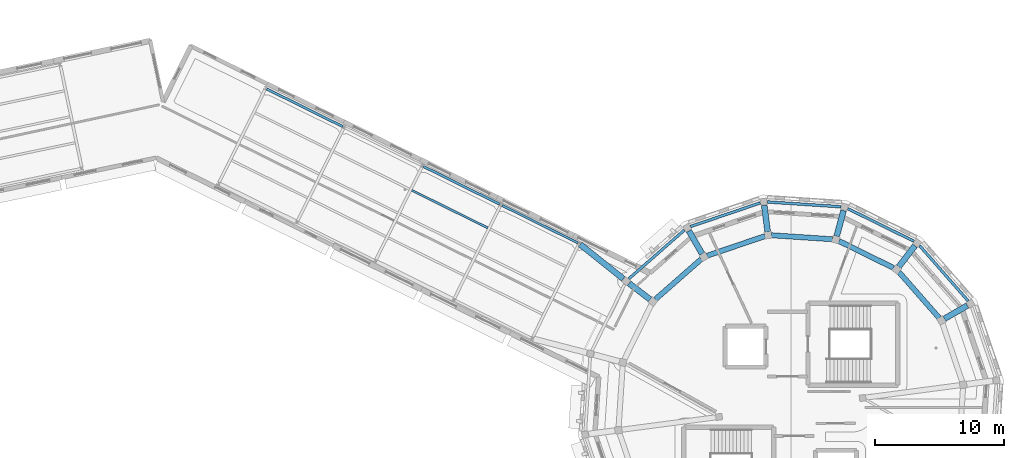
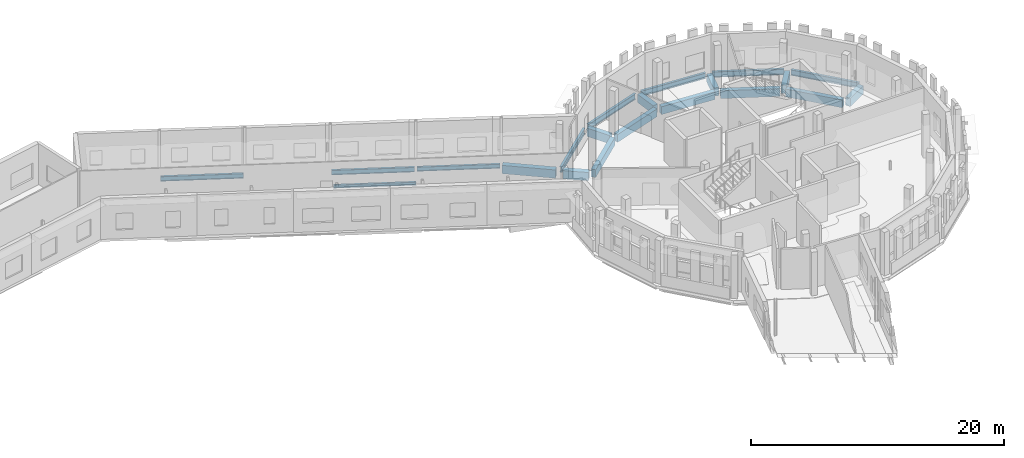
# One storey, part 30 of 90: 21 beams.
"""IFC4 building model written with IfcOpenShell, lengths in metres."""

from ifc_helpers import new_model, si_unit, direction, frame, origin, origin_2d, place, context, subcontext, project, spatial, rectangle, i_section, extrude, material, material_profile, profile_set, type_object, element, save


model = new_model("IFC4")

# Units and contexts
model_context = context("Model", 3, precision=1e-05, world=origin(), true_north=direction((0.0, 1.0)))
body_context = subcontext(model_context, "Body", "Model", "MODEL_VIEW")
ifc_project = project(units=[si_unit("LENGTHUNIT", "METRE"), si_unit("AREAUNIT", "SQUARE_METRE"), si_unit("VOLUMEUNIT", "CUBIC_METRE"), si_unit("PLANEANGLEUNIT", "RADIAN"), si_unit("MASSUNIT", "GRAM", prefix="KILO")], contexts=[model_context])

# Site, building, storey
site_placement = place(None, origin())
site = spatial("IfcSite", under=ifc_project, at=site_placement, CompositionType="ELEMENT")
building_placement = place(site_placement, origin())
building = spatial("IfcBuilding", under=site, at=building_placement, Name="Wrenclough Park School", CompositionType="ELEMENT")
storey_placement = place(building_placement, frame((0.0, 0.0, 8.39990234375)))
storey = spatial("IfcBuildingStorey", under=building, at=storey_placement, Name="L02", CompositionType="ELEMENT", Elevation=8.39990234375)

# Beams
ifc_material_1 = material(Name="Concrete C35/45", Category="concrete")
ifc_material_profile_1 = material_profile(ifc_material_1, rectangle(XDim=0.39990234375, YDim=0.75, at=origin_2d()), Name="RC BEAM 400x750")
ifc_profile_set_1 = profile_set([ifc_material_profile_1], Name="Concrete C35/45")
beam_type_1 = type_object("IfcBeamType", Name="STR-BM-RC400B", PredefinedType="BEAM", material=ifc_profile_set_1)
beam_1_placement = place(storey_placement, frame((185.973876953125, 100.423583984375, -0.639892578125), z_axis=(-0.659350116413, 0.751836035307, 0.0), x_axis=(-0.751836035307, -0.659350116413, 0.0)))
element("IfcBeam", 1, at=beam_1_placement, inside=storey, type_object=beam_type_1, Name="D5 L02 middle ring beam 2", PredefinedType="BEAM", context=body_context, shape_type="SweptSolid", body=[
    extrude(rectangle(XDim=0.39990234375, YDim=0.75, at=origin_2d()), origin(), (0.0, 0.0, 1.0), 4.719970703125),
])
beam_2_placement = place(storey_placement, frame((182.450927734375, 104.287353515625, -0.639892578125), z_axis=(-0.89685541027, 0.442323832808, 0.0), x_axis=(-0.442323832808, -0.89685541027, 0.0)))
element("IfcBeam", 2, at=beam_2_placement, inside=storey, type_object=beam_type_1, Name="D5 L02 middle ring beam 3", PredefinedType="BEAM", context=body_context, shape_type="SweptSolid", body=[
    extrude(rectangle(XDim=0.39990234375, YDim=0.75, at=origin_2d()), origin(), (0.0, 0.0, 1.0), 4.7197265625),
])
for number, where, z_axis, x_axis, name in (
    (3, (177.7177734375, 106.509033203125, -0.639892578125), (-0.9978604909, 0.065379206951, 0.0), (-0.065379206951, -0.9978604909, 0.0), "D5 L02 middle ring beam 4"),
    (4, (172.494384765625, 106.75, -0.639892578125), (-0.946936255661, -0.321421417637, 0.0), (0.321421417637, -0.946936255661, 0.0), "D5 L02 middle ring beam 5"),
    (5, (167.576416015625, 104.973876953125, -0.639892578125), (-0.751836035307, -0.659350116413, 0.0), (0.659350116413, -0.751836035307, 0.0), "D5 L02 middle ring beam 6"),
):
    element("IfcBeam", number, at=place(storey_placement, frame(where, z_axis=z_axis, x_axis=x_axis)), inside=storey, type_object=beam_type_1, Name=name, PredefinedType="BEAM", context=body_context, shape_type="SweptSolid", body=[
        extrude(rectangle(XDim=0.39990234375, YDim=0.75, at=origin_2d()), origin(), (0.0, 0.0, 1.0), 4.719970703125),
    ])
ifc_material_2 = material(Name="Concrete C40/50", Category="concrete")
ifc_material_profile_2 = material_profile(ifc_material_2, rectangle(XDim=0.449951171875, YDim=0.800048828125, at=origin_2d()), Name="RC BEAM 450x800")
ifc_profile_set_2 = profile_set([ifc_material_profile_2], Name="Concrete C40/50")
beam_type_2 = type_object("IfcBeamType", Name="STR-BM-RC450", PredefinedType="BEAM", material=ifc_profile_set_2)
beam_3_placement = place(storey_placement, frame((188.150390625, 101.381103515625, -0.664794921875), z_axis=(-0.865996998587, -0.500049196018, 0.0), x_axis=(0.500049196018, -0.865996998587, 0.0)))
element("IfcBeam", 6, at=beam_3_placement, inside=storey, type_object=beam_type_2, Name="D5 L02 radial girder 2", PredefinedType="BEAM", context=body_context, shape_type="SweptSolid", body=[
    extrude(rectangle(XDim=0.449951171875, YDim=0.800048828125, at=origin_2d()), origin(), (0.0, 0.0, 1.0), 2.048095703125),
])
beam_4_placement = place(storey_placement, frame((184.09521484375, 106.0048828125, -0.664794921875), z_axis=(-0.608736788616, -0.793372246922, 0.0), x_axis=(0.793372246922, -0.608736788616, 0.0)))
element("IfcBeam", 7, at=beam_4_placement, inside=storey, type_object=beam_type_2, Name="D5 L02 radial girder 3", PredefinedType="BEAM", context=body_context, shape_type="SweptSolid", body=[
    extrude(rectangle(XDim=0.449951171875, YDim=0.800048828125, at=origin_2d()), origin(), (0.0, 0.0, 1.0), 2.04833984375),
])
for number, where, z_axis, x_axis, name in (
    (8, (178.57958984375, 108.724853515625, -0.664794921875), (-0.25890887398, -0.965901752237, 0.0), (0.965901752237, -0.25890887398, 0.0), "D5 L02 radial girder 4"),
    (9, (172.442626953125, 109.127197265625, -0.664794921875), (0.130531603121, -0.991444149, 0.0), (0.991444149, 0.130531603121, 0.0), "D5 L02 radial girder 5"),
    (10, (166.618896484375, 107.150390625, -0.664794921875), (0.500049196018, -0.865996998587, 0.0), (0.865996998587, 0.500049196018, 0.0), "D5 L02 radial girder 6"),
):
    element("IfcBeam", number, at=place(storey_placement, frame(where, z_axis=z_axis, x_axis=x_axis)), inside=storey, type_object=beam_type_2, Name=name, PredefinedType="BEAM", context=body_context, shape_type="SweptSolid", body=[
        extrude(rectangle(XDim=0.449951171875, YDim=0.800048828125, at=origin_2d()), origin(), (0.0, 0.0, 1.0), 2.048095703125),
    ])
beam_5_placement = place(storey_placement, frame((161.9951171875, 103.09521484375, -0.664794921875), z_axis=(0.793372246922, -0.608736788616, 0.0), x_axis=(0.608736788616, 0.793372246922, 0.0)))
element("IfcBeam", 11, at=beam_5_placement, inside=storey, type_object=beam_type_2, Name="D5 L02 radial girder 7", PredefinedType="BEAM", context=body_context, shape_type="SweptSolid", body=[
    extrude(rectangle(XDim=0.449951171875, YDim=0.800048828125, at=origin_2d()), origin(), (0.0, 0.0, 1.0), 2.04833984375),
])
beam_6_placement = place(storey_placement, frame((158.20947265625, 106.11181640625, -0.664794921875), z_axis=(0.781348885451, -0.624094479389, 0.0), x_axis=(0.624094479389, 0.781348885451, 0.0)))
element("IfcBeam", 12, at=beam_6_placement, inside=storey, type_object=beam_type_2, Name="W45 L02 drum junction tie beam 50", PredefinedType="BEAM", context=body_context, shape_type="SweptSolid", body=[
    extrude(rectangle(XDim=0.449951171875, YDim=0.800048828125, at=origin_2d()), origin(), (0.0, 0.0, 1.0), 4.264892578125),
])
ifc_material_3 = material(Name="Structural steel S355", Category="steel")
ifc_material_profile_3 = material_profile(ifc_material_3, i_section(OverallWidth=0.1650390625, OverallDepth=0.303466796875, WebThickness=0.006103515625, FlangeThickness=0.01025390625, FilletRadius=0.0087890625, at=origin_2d()), Name="UKB 305x165x40")
ifc_profile_set_3 = profile_set([ifc_material_profile_3], Name="Structural steel S355")
beam_type_3 = type_object("IfcBeamType", Name="STR-BM-UKB305", PredefinedType="JOIST", material=ifc_profile_set_3)
beam_7_placement = place(storey_placement, frame((145.1904296875, 110.291015625, -0.401611328125), z_axis=(0.896266918537, -0.443515062581, 0.0), x_axis=(0.443515062581, 0.896266918537, 0.0)))
element("IfcBeam", 13, at=beam_7_placement, inside=storey, type_object=beam_type_3, Name="W45 L02 secondary floor joist 0115", PredefinedType="JOIST", context=body_context, shape_type="SweptSolid", body=[
    extrude(i_section(OverallWidth=0.1650390625, OverallDepth=0.303466796875, WebThickness=0.006103515625, FlangeThickness=0.01025390625, FilletRadius=0.0087890625, at=origin_2d()), origin(), (0.0, 0.0, 1.0), 6.554931640625),
])
ifc_material_profile_4 = material_profile(ifc_material_3, i_section(OverallWidth=0.177978515625, OverallDepth=0.406494140625, WebThickness=0.0078125, FlangeThickness=0.0126953125, FilletRadius=0.01025390625, at=origin_2d()), Name="UKB 406x178x60")
ifc_profile_set_4 = profile_set([ifc_material_profile_4], Name="Structural steel S355")
beam_type_4 = type_object("IfcBeamType", Name="STR-BM-UKB406", PredefinedType="BEAM", material=ifc_profile_set_4)
beam_8_placement = place(storey_placement, frame((152.15869140625, 109.130126953125, -0.453125), z_axis=(0.896257314968, -0.443534469197, 0.0), x_axis=(0.443534469197, 0.896257314968, 0.0)))
element("IfcBeam", 14, at=beam_8_placement, inside=storey, type_object=beam_type_4, Name="W45 L02 longitudinal edge beam L4", PredefinedType="BEAM", context=body_context, shape_type="SweptSolid", body=[
    extrude(i_section(OverallWidth=0.177978515625, OverallDepth=0.406494140625, WebThickness=0.0078125, FlangeThickness=0.0126953125, FilletRadius=0.01025390625, at=origin_2d()), origin(), (0.0, 0.0, 1.0), 6.56298828125),
])
ifc_material_profile_5 = material_profile(ifc_material_3, i_section(OverallWidth=0.18994140625, OverallDepth=0.453369140625, WebThickness=0.008544921875, FlangeThickness=0.0126953125, FilletRadius=0.01025390625, at=origin_2d()), Name="UKB 457x191x67")
ifc_profile_set_5 = profile_set([ifc_material_profile_5], Name="Structural steel S355")
beam_type_5 = type_object("IfcBeamType", Name="STR-BM-UKB457A", PredefinedType="BEAM", material=ifc_profile_set_5)
for number, where, z_axis, x_axis, name in (
    (15, (133.97119140625, 118.130126953125, -0.4765625), (0.896257314968, -0.443534469197, 0.0), (0.443534469197, 0.896257314968, 0.0), "W45 L02 longitudinal edge beam L1"),
    (16, (146.09619140625, 112.130126953125, -0.4765625), (0.896257314968, -0.443534469197, 0.0), (0.443534469197, 0.896257314968, 0.0), "W45 L02 longitudinal edge beam L3"),
):
    element("IfcBeam", number, at=place(storey_placement, frame(where, z_axis=z_axis, x_axis=x_axis)), inside=storey, type_object=beam_type_5, Name=name, PredefinedType="BEAM", context=body_context, shape_type="SweptSolid", body=[
        extrude(i_section(OverallWidth=0.18994140625, OverallDepth=0.453369140625, WebThickness=0.008544921875, FlangeThickness=0.0126953125, FilletRadius=0.01025390625, at=origin_2d()), origin(), (0.0, 0.0, 1.0), 6.56298828125),
    ])
ifc_material_profile_6 = material_profile(ifc_material_3, i_section(OverallWidth=0.210693359375, OverallDepth=0.53955078125, WebThickness=0.01171875, FlangeThickness=0.018798828125, FilletRadius=0.0126953125, at=origin_2d()), Name="UKB 533x210x109")
ifc_profile_set_6 = profile_set([ifc_material_profile_6], Name="Structural steel S355")
beam_type_6 = type_object("IfcBeamType", Name="STR-BM-UKB533B", PredefinedType="SPANDREL", material=ifc_profile_set_6)
beam_9_placement = place(storey_placement, frame((188.209716796875, 101.741455078125, -0.53466796875), z_axis=(-0.659330966856, 0.75185282878, 0.0), x_axis=(-0.75185282878, -0.659330966856, 0.0)))
element("IfcBeam", 17, at=beam_9_placement, inside=storey, type_object=beam_type_6, Name="D5 L02 outer ring spandrel beam 2", PredefinedType="SPANDREL", context=body_context, shape_type="SweptSolid", body=[
    extrude(i_section(OverallWidth=0.210693359375, OverallDepth=0.53955078125, WebThickness=0.01171875, FlangeThickness=0.018798828125, FilletRadius=0.0126953125, at=origin_2d()), origin(), (0.0, 0.0, 1.0), 5.6865234375),
])
beam_10_placement = place(storey_placement, frame((184.01220703125, 106.360595703125, -0.53466796875), z_axis=(-0.896861071545, 0.442312353825, 0.0), x_axis=(-0.442312353825, -0.896861071545, 0.0)))
element("IfcBeam", 18, at=beam_10_placement, inside=storey, type_object=beam_type_6, Name="D5 L02 outer ring spandrel beam 3", PredefinedType="SPANDREL", context=body_context, shape_type="SweptSolid", body=[
    extrude(i_section(OverallWidth=0.210693359375, OverallDepth=0.53955078125, WebThickness=0.01171875, FlangeThickness=0.018798828125, FilletRadius=0.0126953125, at=origin_2d()), origin(), (0.0, 0.0, 1.0), 5.686279296875),
])
beam_11_placement = place(storey_placement, frame((178.36669921875, 109.02197265625, -0.53466796875), z_axis=(-0.997859935087, 0.065387689577, 0.0), x_axis=(-0.065387689577, -0.997859935087, 0.0)))
element("IfcBeam", 19, at=beam_11_placement, inside=storey, type_object=beam_type_6, Name="D5 L02 outer ring spandrel beam 4", PredefinedType="SPANDREL", context=body_context, shape_type="SweptSolid", body=[
    extrude(i_section(OverallWidth=0.210693359375, OverallDepth=0.53955078125, WebThickness=0.01171875, FlangeThickness=0.018798828125, FilletRadius=0.0126953125, at=origin_2d()), origin(), (0.0, 0.0, 1.0), 5.6865234375),
])
beam_12_placement = place(storey_placement, frame((172.13232421875, 109.320068359375, -0.53466796875), z_axis=(-0.946925734196, -0.321452413146, 0.0), x_axis=(0.321452413146, -0.946925734196, 0.0)))
element("IfcBeam", 20, at=beam_12_placement, inside=storey, type_object=beam_type_6, Name="D5 L02 outer ring spandrel beam 5", PredefinedType="SPANDREL", context=body_context, shape_type="SweptSolid", body=[
    extrude(i_section(OverallWidth=0.210693359375, OverallDepth=0.53955078125, WebThickness=0.01171875, FlangeThickness=0.018798828125, FilletRadius=0.0126953125, at=origin_2d()), origin(), (0.0, 0.0, 1.0), 5.686279296875),
])
beam_13_placement = place(storey_placement, frame((166.258544921875, 107.209716796875, -0.53466796875), z_axis=(-0.75185282878, -0.659330966856, 0.0), x_axis=(0.659330966856, -0.75185282878, 0.0)))
element("IfcBeam", 21, at=beam_13_placement, inside=storey, type_object=beam_type_6, Name="D5 L02 outer ring spandrel beam 6", PredefinedType="SPANDREL", context=body_context, shape_type="SweptSolid", body=[
    extrude(i_section(OverallWidth=0.210693359375, OverallDepth=0.53955078125, WebThickness=0.01171875, FlangeThickness=0.018798828125, FilletRadius=0.0126953125, at=origin_2d()), origin(), (0.0, 0.0, 1.0), 5.6865234375),
])

save(model, "model.ifc")
